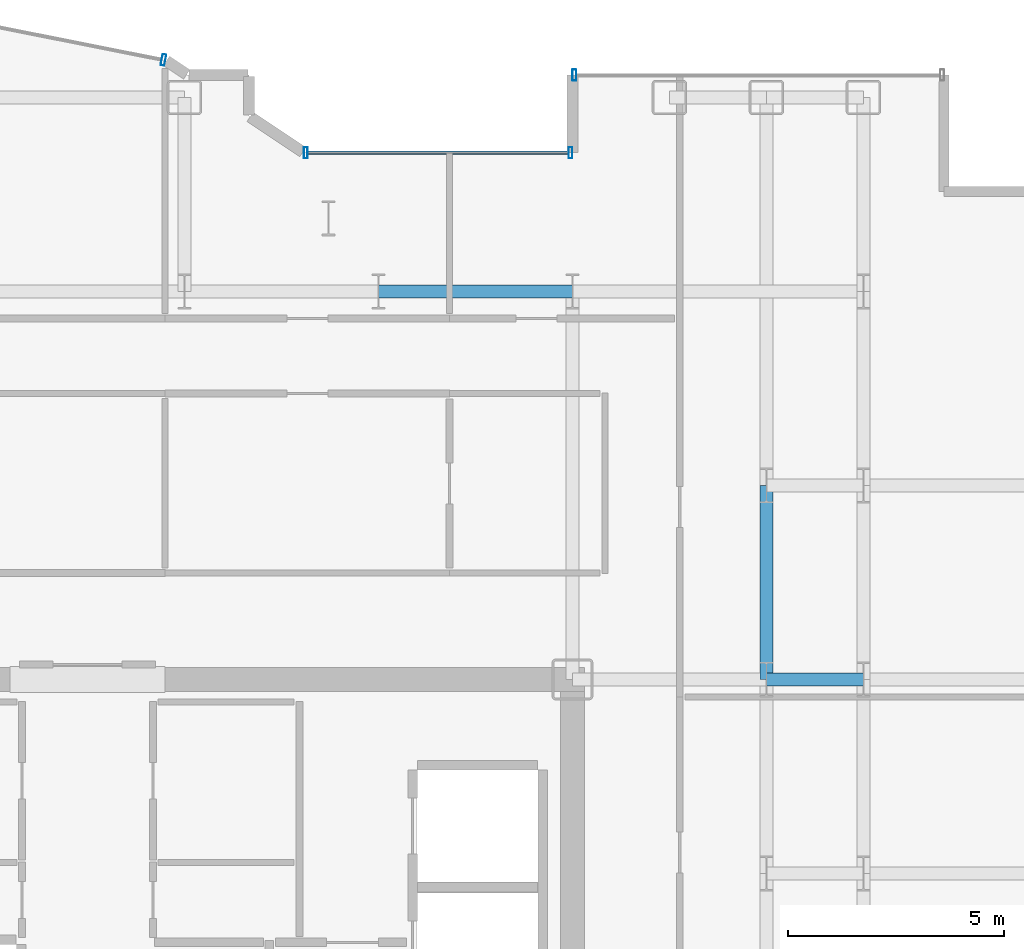
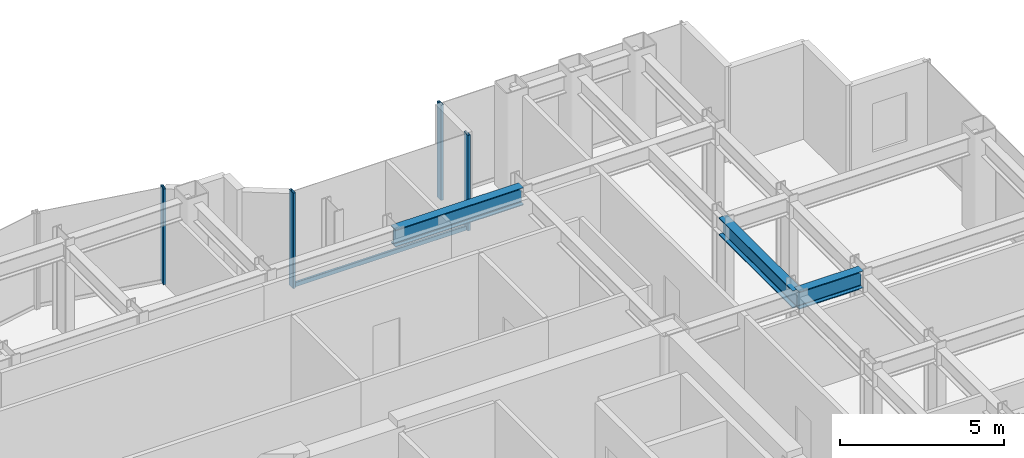
# One storey, part 16 of 27: 5 members, 3 beams, 3 elements without a shape of their own.
"""IFC4 building model written with IfcOpenShell, lengths in metres."""

from ifc_helpers import new_model, si_unit, direction, frame, origin, origin_2d, place, context, subcontext, project, spatial, hollow_rectangle, i_section, extrude, source, transform, mapped, material, layer, layer_set, material_profile, profile_set, type_object, element, aggregate, save


model = new_model("IFC4")

# Units and contexts
model_context = context("Model", 3, precision=1e-05, world=origin(), true_north=direction((0.0, 1.0)))
body_context = subcontext(model_context, "Body", "Model", "MODEL_VIEW")
ifc_project = project(units=[si_unit("LENGTHUNIT", "METRE"), si_unit("AREAUNIT", "SQUARE_METRE"), si_unit("VOLUMEUNIT", "CUBIC_METRE"), si_unit("PLANEANGLEUNIT", "RADIAN"), si_unit("MASSUNIT", "GRAM", prefix="KILO")], contexts=[model_context])

# Site, building, storey
site_placement = place(None, origin())
site = spatial("IfcSite", under=ifc_project, at=site_placement, CompositionType="ELEMENT")
building_placement = place(site_placement, origin())
building = spatial("IfcBuilding", under=site, at=building_placement, Name="Nefas-Gora Pilgrimage Tower", CompositionType="ELEMENT")
storey_placement = place(building_placement, frame((0.0, 0.0, 183.0)))
storey = spatial("IfcBuildingStorey", under=building, at=storey_placement, Name="L45", CompositionType="ELEMENT", Elevation=183.0)

# Beams
ifc_material_1 = material(Name="Steel S355", Category="steel")
ifc_material_profile_1 = material_profile(ifc_material_1, i_section(OverallWidth=0.300048828125, OverallDepth=0.64990234375, WebThickness=0.01611328125, FlangeThickness=0.031005859375, FilletRadius=0.027099609375, at=origin_2d()), Name="HEB 650")
ifc_profile_set_1 = profile_set([ifc_material_profile_1], Name="Steel S355")
beam_type = type_object("IfcBeamType", Name="BM-GIR-HEB650", PredefinedType="BEAM", material=ifc_profile_set_1)
shared_shape_1 = source(origin(), body_context, "Body", "SweptSolid", [
    extrude(i_section(OverallWidth=0.300048828125, OverallDepth=0.64990234375, WebThickness=0.01611328125, FlangeThickness=0.031005859375, FilletRadius=0.027099609375, at=origin_2d()), origin(), (0.0, 0.0, 1.0), 4.5),
])
for number, where, z_axis, x_axis, name in (
    (1, (6.75, 18.0, 3.22509765625), (1.0, 0.0, 0.0), (0.0, 1.0, 0.0), "L45 G-03 beam"),
    (2, (15.75, 9.0, 3.22509765625), (0.0, 1.0, 0.0), (-1.0, 0.0, 0.0), "L45 G-03 beam"),
):
    element("IfcBeam", number, at=place(storey_placement, frame(where, z_axis=z_axis, x_axis=x_axis)), inside=storey, type_object=beam_type, Name=name, PredefinedType="BEAM", context=body_context, shape_type="MappedRepresentation", body=[
        mapped(shared_shape_1, transform((0.0, 0.0, 0.0), x_axis=(1.0, 0.0, 0.0), y_axis=(0.0, 1.0, 0.0), z_axis=(0.0, 0.0, 1.0), scale=1.0)),
    ])
shared_shape_2 = source(origin(), body_context, "Body", "SweptSolid", [
    extrude(i_section(OverallWidth=0.300048828125, OverallDepth=0.64990234375, WebThickness=0.01611328125, FlangeThickness=0.031005859375, FilletRadius=0.027099609375, at=origin_2d()), origin(), (0.0, 0.0, 1.0), 2.25),
])
beam_placement = place(storey_placement, frame((15.75, 9.0, 3.22509765625), z_axis=(1.0, 0.0, 0.0), x_axis=(0.0, 1.0, 0.0)))
element("IfcBeam", 3, at=beam_placement, inside=storey, type_object=beam_type, Name="L45 G-03 beam", PredefinedType="BEAM", context=body_context, shape_type="MappedRepresentation", body=[
    mapped(shared_shape_2, transform((0.0, 0.0, 0.0), x_axis=(1.0, 0.0, 0.0), y_axis=(0.0, 1.0, 0.0), z_axis=(0.0, 0.0, 1.0), scale=1.0)),
])

# Curtain wall, members
ifc_material_2 = material(Name="Dark ceramic-fritted solar-control aluminium-glass curtain wall", Category="aluminium")
ifc_layer_1 = layer(ifc_material_2, 0.219970703125)
ifc_layer_set_1 = layer_set([ifc_layer_1], Name="Dark ceramic-fritted solar-control aluminium-glass curtain wall")
curtain_wall_type_1 = type_object("IfcCurtainWallType", Name="CW-SYS-5", PredefinedType="NOTDEFINED", material=ifc_layer_set_1)
curtain_wall_1_placement = place(storey_placement, origin())
curtain_wall_1 = element("IfcCurtainWall", 4, at=curtain_wall_1_placement, inside=storey, type_object=curtain_wall_type_1, Name="L45 Unitised Curtain Wall CW5", PredefinedType="NOTDEFINED")
ifc_material_3 = material(Name="Anodised architectural aluminium", Category="aluminium")
ifc_material_profile_2 = material_profile(ifc_material_3, hollow_rectangle(XDim=0.090087890625, YDim=0.260009765625, WallThickness=0.006103515625, InnerFilletRadius=0.006103515625, OuterFilletRadius=0.011962890625, at=origin_2d()), Name="ALU MULLION 90x260")
ifc_profile_set_2 = profile_set([ifc_material_profile_2], Name="Anodised architectural aluminium")
member_type_1 = type_object("IfcMemberType", Name="CWM-MUL-5", PredefinedType="MULLION", material=ifc_profile_set_2)
shared_shape_3 = source(origin(), body_context, "Body", "SweptSolid", [
    extrude(hollow_rectangle(XDim=0.090087890625, YDim=0.260009765625, WallThickness=0.006103515625, InnerFilletRadius=0.006103515625, OuterFilletRadius=0.011962890625, at=origin_2d()), origin(), (0.0, 0.0, 1.0), 3.550048828125),
])
member_1_placement = place(storey_placement, frame((11.205078125, 21.219970703125, 0.0), z_axis=(0.0, 0.0, 1.0), x_axis=(-1.0, 0.0, 0.0)))
member_1 = element("IfcMember", 5, at=member_1_placement, type_object=member_type_1, Name="CW5 Mullion 1", PredefinedType="MULLION", context=body_context, shape_type="MappedRepresentation", body=[
    mapped(shared_shape_3, transform((0.0, 0.0, 0.0), x_axis=(1.0, 0.0, 0.0), y_axis=(0.0, 1.0, 0.0), z_axis=(0.0, 0.0, 1.0), scale=1.0)),
])
member_2_placement = place(storey_placement, frame((5.06298828125, 21.219970703125, 0.0), z_axis=(0.0, 0.0, 1.0), x_axis=(-1.0, 0.0, 0.0)))
member_2 = element("IfcMember", 6, at=member_2_placement, type_object=member_type_1, Name="CW5 Mullion 2", PredefinedType="MULLION", context=body_context, shape_type="MappedRepresentation", body=[
    mapped(shared_shape_3, transform((0.0, 0.0, 0.0), x_axis=(1.0, 0.0, 0.0), y_axis=(0.0, 1.0, 0.0), z_axis=(0.0, 0.0, 1.0), scale=1.0)),
])

# Curtain wall, member
curtain_wall_2_placement = place(storey_placement, origin())
curtain_wall_2 = element("IfcCurtainWall", 7, at=curtain_wall_2_placement, inside=storey, type_object=curtain_wall_type_1, Name="L45 Unitised Curtain Wall CW5", PredefinedType="NOTDEFINED")
member_3_placement = place(storey_placement, frame((1.76318359375, 23.3740234375, 0.0), z_axis=(0.0, 0.0, 1.0), x_axis=(-0.980782896852, 0.195102304554, 0.0)))
member_3 = element("IfcMember", 8, at=member_3_placement, type_object=member_type_1, Name="CW5 Mullion 1", PredefinedType="MULLION", context=body_context, shape_type="MappedRepresentation", body=[
    mapped(shared_shape_3, transform((0.0, 0.0, 0.0), x_axis=(1.0, 0.0, 0.0), y_axis=(0.0, 1.0, 0.0), z_axis=(0.0, 0.0, 1.0), scale=1.0)),
])
aggregate(curtain_wall_2, [member_3])

# Member
ifc_material_profile_3 = material_profile(ifc_material_3, hollow_rectangle(XDim=0.080078125, YDim=0.159912109375, WallThickness=0.00439453125, InnerFilletRadius=0.00439453125, OuterFilletRadius=0.009033203125, at=origin_2d()), Name="ALU TRANSOM 80x160")
ifc_profile_set_3 = profile_set([ifc_material_profile_3], Name="Anodised architectural aluminium")
member_type_2 = type_object("IfcMemberType", Name="CWM-TRN-5", PredefinedType="USERDEFINED", material=ifc_profile_set_3)
shared_shape_4 = source(origin(), body_context, "Body", "SweptSolid", [
    extrude(hollow_rectangle(XDim=0.080078125, YDim=0.159912109375, WallThickness=0.00439453125, InnerFilletRadius=0.00439453125, OuterFilletRadius=0.009033203125, at=origin_2d()), origin(), (0.0, 0.0, 1.0), 6.052001953125),
])
member_4_placement = place(storey_placement, frame((11.159912109375, 21.219970703125, 0.050048828125), z_axis=(-1.0, 0.0, 0.0), x_axis=(0.0, -1.0, 0.0)))
member_4 = element("IfcMember", 9, at=member_4_placement, type_object=member_type_2, Name="CW5 Spandrel Transom", ObjectType="TRANSOM", PredefinedType="USERDEFINED", context=body_context, shape_type="MappedRepresentation", body=[
    mapped(shared_shape_4, transform((0.0, 0.0, 0.0), x_axis=(1.0, 0.0, 0.0), y_axis=(0.0, 1.0, 0.0), z_axis=(0.0, 0.0, 1.0), scale=1.0)),
])

aggregate(curtain_wall_1, [member_1, member_2, member_4])

# Curtain wall, member
ifc_layer_2 = layer(ifc_material_2, 0.219970703125)
ifc_layer_set_2 = layer_set([ifc_layer_2], Name="Dark ceramic-fritted solar-control aluminium-glass curtain wall")
curtain_wall_type_2 = type_object("IfcCurtainWallType", Name="CW-SYS-3", PredefinedType="NOTDEFINED", material=ifc_layer_set_2)
curtain_wall_3_placement = place(storey_placement, origin())
curtain_wall_3 = element("IfcCurtainWall", 10, at=curtain_wall_3_placement, inside=storey, type_object=curtain_wall_type_2, Name="L45 Unitised Curtain Wall CW3", PredefinedType="NOTDEFINED")
ifc_material_profile_4 = material_profile(ifc_material_3, hollow_rectangle(XDim=0.090087890625, YDim=0.260009765625, WallThickness=0.006103515625, InnerFilletRadius=0.006103515625, OuterFilletRadius=0.011962890625, at=origin_2d()), Name="ALU MULLION 90x260")
ifc_profile_set_4 = profile_set([ifc_material_profile_4], Name="Anodised architectural aluminium")
member_type_3 = type_object("IfcMemberType", Name="CWM-MUL-3", PredefinedType="MULLION", material=ifc_profile_set_4)
shared_shape_5 = source(origin(), body_context, "Body", "SweptSolid", [
    extrude(hollow_rectangle(XDim=0.090087890625, YDim=0.260009765625, WallThickness=0.006103515625, InnerFilletRadius=0.006103515625, OuterFilletRadius=0.011962890625, at=origin_2d()), origin(), (0.0, 0.0, 1.0), 3.550048828125),
])
member_5_placement = place(storey_placement, frame((11.294921875, 23.02001953125, 0.0), z_axis=(0.0, 0.0, 1.0), x_axis=(-1.0, 0.0, 0.0)))
member_5 = element("IfcMember", 11, at=member_5_placement, type_object=member_type_3, Name="CW3 Mullion 2", PredefinedType="MULLION", context=body_context, shape_type="MappedRepresentation", body=[
    mapped(shared_shape_5, transform((0.0, 0.0, 0.0), x_axis=(1.0, 0.0, 0.0), y_axis=(0.0, 1.0, 0.0), z_axis=(0.0, 0.0, 1.0), scale=1.0)),
])
aggregate(curtain_wall_3, [member_5])

save(model, "model.ifc")
